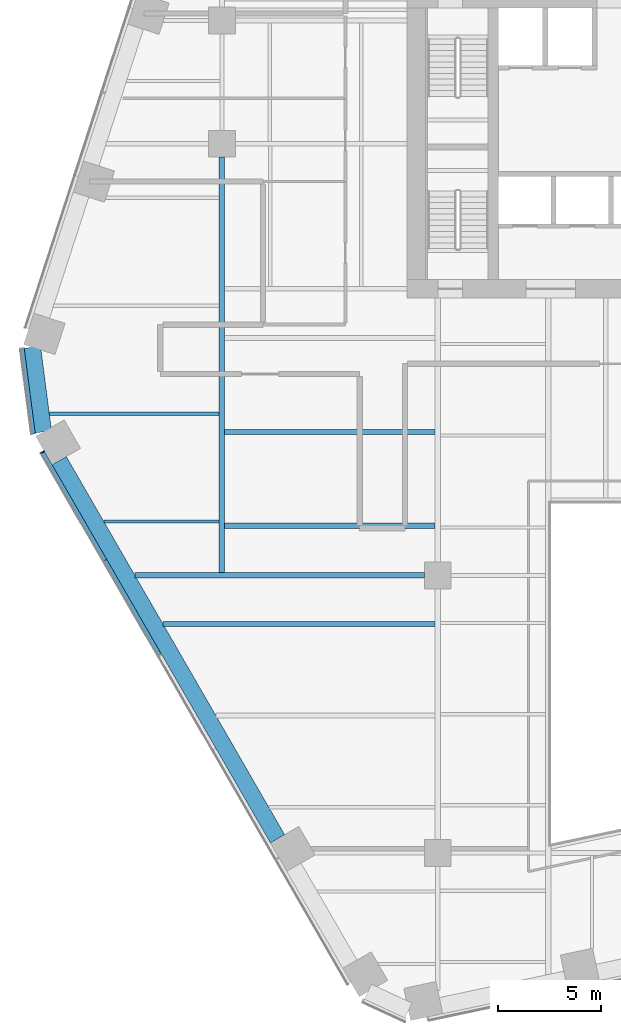
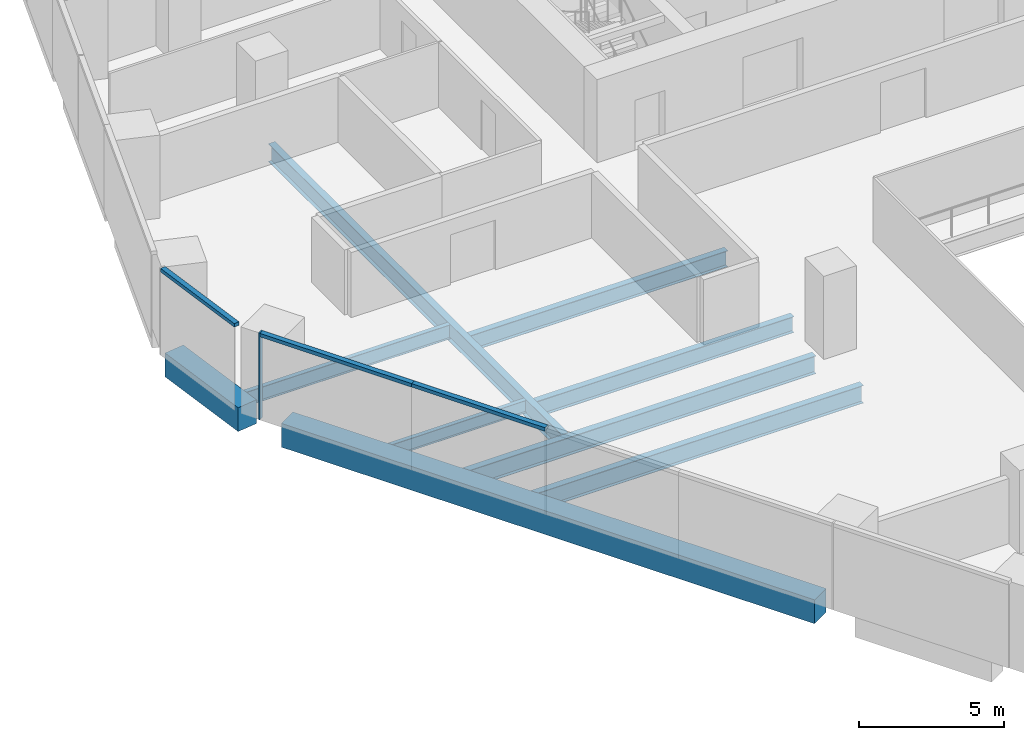
# One storey, part 3 of 21: 9 beams, 4 members, 2 elements without a shape of their own.
"""IFC4 building model written with IfcOpenShell, lengths in metres."""

from ifc_helpers import new_model, si_unit, direction, frame, origin, origin_2d, place, context, subcontext, project, spatial, rectangle, i_section, extrude, material, layer, layer_set, material_profile, profile_set, type_object, element, aggregate, save


model = new_model("IFC4")

# Units and contexts
model_context = context("Model", 3, precision=1e-05, world=origin(), true_north=direction((0.0, 1.0)))
body_context = subcontext(model_context, "Body", "Model", "MODEL_VIEW")
ifc_project = project(units=[si_unit("LENGTHUNIT", "METRE"), si_unit("AREAUNIT", "SQUARE_METRE"), si_unit("VOLUMEUNIT", "CUBIC_METRE"), si_unit("PLANEANGLEUNIT", "RADIAN"), si_unit("MASSUNIT", "GRAM", prefix="KILO")], contexts=[model_context])

# Site, building, storey
site_placement = place(None, origin())
site = spatial("IfcSite", under=ifc_project, at=site_placement, CompositionType="ELEMENT")
building_placement = place(site_placement, origin())
building = spatial("IfcBuilding", under=site, at=building_placement, Name="Isthmus Gate Tower", CompositionType="ELEMENT")
storey_placement = place(building_placement, frame((0.0, 0.0, 106.199951171875)))
storey = spatial("IfcBuildingStorey", under=building, at=storey_placement, Name="L25", CompositionType="ELEMENT", Elevation=106.199951171875)

# Curtain wall, member
ifc_material_1 = material(Name="Aluminium, pale champagne anodised", Category="aluminium")
ifc_layer = layer(ifc_material_1, 0.199951171875)
ifc_layer_set = layer_set([ifc_layer], Name="CW-1 UNITISED CURTAIN WALL 200 DEEP")
curtain_wall_type = type_object("IfcCurtainWallType", Name="CW-1 UNITISED CURTAIN WALL 200 DEEP", PredefinedType="NOTDEFINED", material=ifc_layer_set)
curtain_wall_1_placement = place(storey_placement, origin())
curtain_wall_1 = element("IfcCurtainWall", 1, at=curtain_wall_1_placement, inside=storey, type_object=curtain_wall_type, Name="CW-1 SW L25", PredefinedType="NOTDEFINED")
ifc_material_2 = material(Name="Aluminium, pale champagne anodised", Category="aluminium")
ifc_material_profile_1 = material_profile(ifc_material_2, rectangle(XDim=0.06005859375, YDim=0.199951171875, at=origin_2d()), Name="60x200")
ifc_profile_set_1 = profile_set([ifc_material_profile_1], Name="Aluminium, pale champagne anodised")
member_type_1 = type_object("IfcMemberType", Name="CW-1 MULLION 60 X 200", PredefinedType="MULLION", material=ifc_profile_set_1)
member_1_placement = place(storey_placement, frame((-32.7353515625, -7.500732421875, 0.0), z_axis=(0.0, 0.0, 1.0), x_axis=(0.5, -0.866025403784, 0.0)))
member_1 = element("IfcMember", 2, at=member_1_placement, type_object=member_type_1, Name="CW-1 mullion", PredefinedType="MULLION", context=body_context, shape_type="SweptSolid", body=[
    extrude(rectangle(XDim=0.06005859375, YDim=0.199951171875, at=origin_2d()), origin(), (0.0, 0.0, 1.0), 3.650146484375),
])

curtain_wall_2_placement = place(storey_placement, origin())
curtain_wall_2 = element("IfcCurtainWall", 3, at=curtain_wall_2_placement, inside=storey, type_object=curtain_wall_type, Name="CW-1 NW-SW L25", PredefinedType="NOTDEFINED")
ifc_material_3 = material(Name="Aluminium, pale champagne anodised", Category="aluminium")
ifc_material_profile_2 = material_profile(ifc_material_3, rectangle(XDim=0.199951171875, YDim=0.14990234375, at=origin_2d()), Name="200x150")
ifc_profile_set_2 = profile_set([ifc_material_profile_2], Name="Aluminium, pale champagne anodised")
member_type_2 = type_object("IfcMemberType", Name="CW-1 TRANSOM 200 X 150", PredefinedType="USERDEFINED", material=ifc_profile_set_2)
member_2_placement = place(storey_placement, frame((-33.71923828125, -2.474609375, 3.574951171875), z_axis=(0.129206893318, -0.991617657527, 0.0), x_axis=(0.991617657527, 0.129206893318, 0.0)))
member_2 = element("IfcMember", 4, at=member_2_placement, type_object=member_type_2, Name="CW-1 transom", ObjectType="TRANSOM", PredefinedType="USERDEFINED", context=body_context, shape_type="SweptSolid", body=[
    extrude(rectangle(XDim=0.199951171875, YDim=0.14990234375, at=origin_2d()), origin(), (0.0, 0.0, 1.0), 4.181640625),
])
aggregate(curtain_wall_2, [member_2])

# Member
member_3_placement = place(storey_placement, frame((-32.720458984375, -7.526611328125, 3.574951171875), z_axis=(0.500011280007, -0.866018891171, 0.0), x_axis=(0.866018891171, 0.500011280007, 0.0)))
member_3 = element("IfcMember", 5, at=member_3_placement, type_object=member_type_2, Name="CW-1 transom", ObjectType="TRANSOM", PredefinedType="USERDEFINED", context=body_context, shape_type="SweptSolid", body=[
    extrude(rectangle(XDim=0.199951171875, YDim=0.14990234375, at=origin_2d()), origin(), (0.0, 0.0, 1.0), 6.048583984375),
])

member_4_placement = place(storey_placement, frame((-29.696044921875, -12.764892578125, 3.574951171875), z_axis=(0.499997139945, -0.866027055032, 0.0), x_axis=(0.866027055032, 0.499997139945, 0.0)))
member_4 = element("IfcMember", 6, at=member_4_placement, type_object=member_type_2, Name="CW-1 transom", ObjectType="TRANSOM", PredefinedType="USERDEFINED", context=body_context, shape_type="SweptSolid", body=[
    extrude(rectangle(XDim=0.199951171875, YDim=0.14990234375, at=origin_2d()), origin(), (0.0, 0.0, 1.0), 5.30859375),
])

aggregate(curtain_wall_1, [member_1, member_3, member_4])

# Beams
ifc_material_4 = material(Name="Concrete f'c 70 MPa", Category="concrete")
ifc_material_profile_3 = material_profile(ifc_material_4, rectangle(XDim=0.800048828125, YDim=1.0, at=origin_2d()), Name="RC 800X1000")
ifc_profile_set_3 = profile_set([ifc_material_profile_3], Name="Concrete f'c 70 MPa")
beam_type_1 = type_object("IfcBeamType", Name="RC SPANDREL 800 X 1000", PredefinedType="SPANDREL", material=ifc_profile_set_3)
beam_1_placement = place(storey_placement, frame((-21.300048828125, -26.30712890625, -0.5), z_axis=(-0.499997139945, 0.866027055032, 0.0), x_axis=(-0.866027055032, -0.499997139945, 0.0)))
element("IfcBeam", 7, at=beam_1_placement, inside=storey, type_object=beam_type_1, Name="str-spandrel-L25-16", PredefinedType="SPANDREL", context=body_context, shape_type="SweptSolid", body=[
    extrude(rectangle(XDim=0.800048828125, YDim=1.0, at=origin_2d()), origin(), (0.0, 0.0, 1.0), 21.234375),
])
beam_2_placement = place(storey_placement, frame((-32.6884765625, -6.515380859375, -0.5), z_axis=(-0.129170777359, 0.991622362735, 0.0), x_axis=(-0.991622362735, -0.129170777359, 0.0)))
element("IfcBeam", 8, at=beam_2_placement, inside=storey, type_object=beam_type_1, Name="str-spandrel-L25-17", PredefinedType="SPANDREL", context=body_context, shape_type="SweptSolid", body=[
    extrude(rectangle(XDim=0.800048828125, YDim=1.0, at=origin_2d()), origin(), (0.0, 0.0, 1.0), 4.15234375),
])
ifc_material_5 = material(Name="Structural steel ASTM A992 Gr 50", Category="steel")
ifc_material_profile_4 = material_profile(ifc_material_5, i_section(OverallWidth=0.1650390625, OverallDepth=0.52392578125, WebThickness=0.009521484375, FlangeThickness=0.010986328125, at=origin_2d()), Name="W21X44")
ifc_profile_set_4 = profile_set([ifc_material_profile_4], Name="Structural steel ASTM A992 Gr 50")
beam_type_2 = type_object("IfcBeamType", Name="STEEL FLOOR BEAM W21X44", PredefinedType="JOIST", material=ifc_profile_set_4)
beam_3_placement = place(storey_placement, frame((-29.748046875, -10.875, -0.411865234375), z_axis=(1.0, 0.0, 0.0), x_axis=(0.0, 1.0, 0.0)))
element("IfcBeam", 9, at=beam_3_placement, inside=storey, type_object=beam_type_2, Name="str-beam-L25-00-00", PredefinedType="JOIST", context=body_context, shape_type="SweptSolid", body=[
    extrude(i_section(OverallWidth=0.1650390625, OverallDepth=0.52392578125, WebThickness=0.009521484375, FlangeThickness=0.010986328125, at=origin_2d()), origin(), (0.0, 0.0, 1.0), 5.61474609375),
])
ifc_material_6 = material(Name="Structural steel ASTM A992 Gr 50", Category="steel")
ifc_material_profile_5 = material_profile(ifc_material_6, i_section(OverallWidth=0.177734375, OverallDepth=0.60009765625, WebThickness=0.009521484375, FlangeThickness=0.0126953125, at=origin_2d()), Name="W24X55")
ifc_profile_set_5 = profile_set([ifc_material_profile_5], Name="Structural steel ASTM A992 Gr 50")
beam_type_3 = type_object("IfcBeamType", Name="STEEL FLOOR BEAM W24X55", PredefinedType="JOIST", material=ifc_profile_set_5)
beam_4_placement = place(storey_placement, frame((-32.401123046875, -5.625, -0.449951171875), z_axis=(1.0, 0.0, 0.0), x_axis=(0.0, 1.0, 0.0)))
element("IfcBeam", 10, at=beam_4_placement, inside=storey, type_object=beam_type_3, Name="str-beam-L25-00-01", PredefinedType="JOIST", context=body_context, shape_type="SweptSolid", body=[
    extrude(i_section(OverallWidth=0.177734375, OverallDepth=0.60009765625, WebThickness=0.009521484375, FlangeThickness=0.0126953125, at=origin_2d()), origin(), (0.0, 0.0, 1.0), 8.267822265625),
])
ifc_material_7 = material(Name="Structural steel ASTM A992 Gr 50", Category="steel")
ifc_material_profile_6 = material_profile(ifc_material_7, i_section(OverallWidth=0.25390625, OverallDepth=0.679443359375, WebThickness=0.010986328125, FlangeThickness=0.015869140625, at=origin_2d()), Name="W27X84")
ifc_profile_set_6 = profile_set([ifc_material_profile_6], Name="Structural steel ASTM A992 Gr 50")
beam_type_4 = type_object("IfcBeamType", Name="STEEL FLOOR BEAM W27X84", PredefinedType="JOIST", material=ifc_profile_set_6)
for number, where, z_axis, x_axis, name in (
    (11, (-23.86669921875, -11.0830078125, -0.48974609375), (1.0, 0.0, 0.0), (0.0, 1.0, 0.0), "str-beam-L25-08-00"),
    (12, (-23.86669921875, -6.515380859375, -0.48974609375), (1.0, 0.0, 0.0), (0.0, 1.0, 0.0), "str-beam-L25-08-01"),
):
    element("IfcBeam", number, at=place(storey_placement, frame(where, z_axis=z_axis, x_axis=x_axis)), inside=storey, type_object=beam_type_4, Name=name, PredefinedType="JOIST", context=body_context, shape_type="SweptSolid", body=[
        extrude(i_section(OverallWidth=0.25390625, OverallDepth=0.679443359375, WebThickness=0.010986328125, FlangeThickness=0.015869140625, at=origin_2d()), origin(), (0.0, 0.0, 1.0), 10.23486328125),
    ])
ifc_material_8 = material(Name="Structural steel ASTM A992 Gr 50", Category="steel")
ifc_material_profile_7 = material_profile(ifc_material_8, i_section(OverallWidth=0.263427734375, OverallDepth=0.749267578125, WebThickness=0.0126953125, FlangeThickness=0.015869140625, at=origin_2d()), Name="W30X90")
ifc_profile_set_7 = profile_set([ifc_material_profile_7], Name="Structural steel ASTM A992 Gr 50")
beam_type_5 = type_object("IfcBeamType", Name="STEEL FLOOR BEAM W30X90", PredefinedType="JOIST", material=ifc_profile_set_7)
beam_5_placement = place(storey_placement, frame((-26.869140625, -15.861083984375, -0.524658203125), z_axis=(1.0, 0.0, 0.0), x_axis=(0.0, 1.0, 0.0)))
element("IfcBeam", 13, at=beam_5_placement, inside=storey, type_object=beam_type_5, Name="str-beam-L25-06-02", PredefinedType="JOIST", context=body_context, shape_type="SweptSolid", body=[
    extrude(i_section(OverallWidth=0.263427734375, OverallDepth=0.749267578125, WebThickness=0.0126953125, FlangeThickness=0.015869140625, at=origin_2d()), origin(), (0.0, 0.0, 1.0), 13.2373046875),
])
ifc_material_9 = material(Name="Structural steel ASTM A992 Gr 50", Category="steel")
ifc_material_profile_8 = material_profile(ifc_material_9, i_section(OverallWidth=0.2666015625, OverallDepth=0.7587890625, WebThickness=0.014404296875, FlangeThickness=0.01904296875, at=origin_2d()), Name="W30X108")
ifc_profile_set_8 = profile_set([ifc_material_profile_8], Name="Structural steel ASTM A992 Gr 50")
beam_type_6 = type_object("IfcBeamType", Name="STEEL GIRDER W30X108", PredefinedType="BEAM", material=ifc_profile_set_8)
beam_6_placement = place(storey_placement, frame((-28.232421875, -13.5, -0.529296875), z_axis=(1.0, 0.0, 0.0), x_axis=(0.0, 1.0, 0.0)))
element("IfcBeam", 14, at=beam_6_placement, inside=storey, type_object=beam_type_6, Name="str-girder-L25-05", PredefinedType="BEAM", context=body_context, shape_type="SweptSolid", body=[
    extrude(i_section(OverallWidth=0.2666015625, OverallDepth=0.7587890625, WebThickness=0.014404296875, FlangeThickness=0.01904296875, at=origin_2d()), origin(), (0.0, 0.0, 1.0), 14.08251953125),
])
beam_7_placement = place(storey_placement, frame((-24.0, -13.36669921875, -0.529296875), z_axis=(0.0, 1.0, 0.0), x_axis=(-1.0, 0.0, 0.0)))
element("IfcBeam", 15, at=beam_7_placement, inside=storey, type_object=beam_type_6, Name="str-girder-L25-21", PredefinedType="BEAM", context=body_context, shape_type="SweptSolid", body=[
    extrude(i_section(OverallWidth=0.2666015625, OverallDepth=0.7587890625, WebThickness=0.014404296875, FlangeThickness=0.01904296875, at=origin_2d()), origin(), (0.0, 0.0, 1.0), 20.216796875),
])

save(model, "model.ifc")
